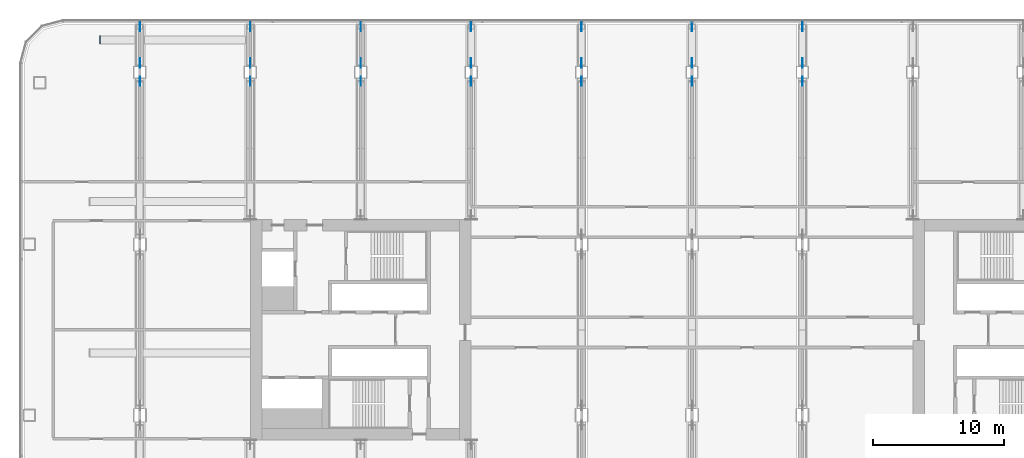
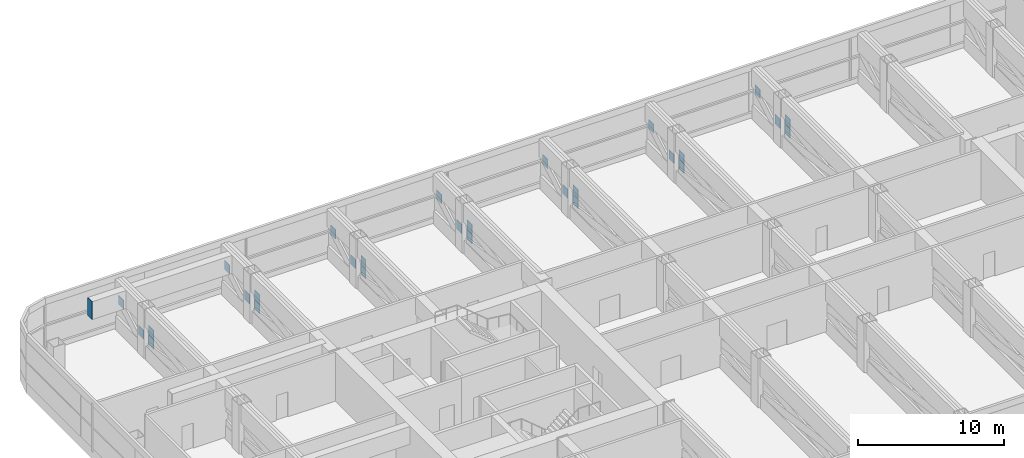
# One storey, part 23 of 30: 29 discrete accessories.
"""IFC4 building model written with IfcOpenShell, lengths in metres."""

from ifc_helpers import new_model, si_unit, direction, frame, origin, origin_2d, place, context, subcontext, project, spatial, rectangle, extrude, material, material_profile, profile_set, type_object, element, save


model = new_model("IFC4")

# Units and contexts
model_context = context("Model", 3, precision=1e-05, world=origin(), true_north=direction((0.0, 1.0)))
body_context = subcontext(model_context, "Body", "Model", "MODEL_VIEW")
ifc_project = project(units=[si_unit("LENGTHUNIT", "METRE"), si_unit("AREAUNIT", "SQUARE_METRE"), si_unit("VOLUMEUNIT", "CUBIC_METRE"), si_unit("PLANEANGLEUNIT", "RADIAN"), si_unit("MASSUNIT", "GRAM", prefix="KILO")], contexts=[model_context])

# Site, building, storey
site_placement = place(None, origin())
site = spatial("IfcSite", under=ifc_project, at=site_placement, CompositionType="ELEMENT")
building_placement = place(site_placement, origin())
building = spatial("IfcBuilding", under=site, at=building_placement, Name="Hakoniwa Tower and Hamabe Station Hall", CompositionType="ELEMENT")
storey_placement = place(building_placement, frame((0.0, 0.0, 64.60009765625)))
storey = spatial("IfcBuildingStorey", under=building, at=storey_placement, Name="L18", CompositionType="ELEMENT", Elevation=64.60009765625)

# Discrete accessories
ifc_material_1 = material(Name="Steel SN490C", Category="steel")
ifc_material_profile_1 = material_profile(ifc_material_1, rectangle(XDim=0.60009765625, YDim=1.5, at=origin_2d()), Name="END CAP PLATE BX-1500x600x55")
ifc_profile_set_1 = profile_set([ifc_material_profile_1], Name="Steel SN490C")
discrete_accessory_type_1 = type_object("IfcDiscreteAccessoryType", Name="END CAP PLATE BX-1500x600x55", PredefinedType="USERDEFINED", material=ifc_profile_set_1)
discrete_accessory_placement = place(storey_placement, frame((-45.048095703125, 22.052978515625, 3.349853515625), z_axis=(1.0, 0.0, 0.0), x_axis=(0.0, 1.0, 0.0)))
element("IfcDiscreteAccessory", 1, at=discrete_accessory_placement, inside=storey, type_object=discrete_accessory_type_1, Name="End cap plate L18-XG7", ObjectType="END CAP PLATE", PredefinedType="USERDEFINED", context=body_context, shape_type="SweptSolid", body=[
    extrude(rectangle(XDim=0.60009765625, YDim=1.5, at=origin_2d()), origin(), (0.0, 0.0, 1.0), 0.045166015625),
])
ifc_material_2 = material(Name="Steel SN490C", Category="steel")
ifc_material_profile_2 = material_profile(ifc_material_2, rectangle(XDim=0.699951171875, YDim=0.77001953125, at=origin_2d()), Name="GUSSET PLATE BX-700x500x32")
ifc_profile_set_2 = profile_set([ifc_material_profile_2], Name="Steel SN490C")
discrete_accessory_type_2 = type_object("IfcDiscreteAccessoryType", Name="GUSSET PLATE BX-700x500x32", PredefinedType="USERDEFINED", material=ifc_profile_set_2)
for number, where, z_axis, x_axis, name in (
    (2, (-41.985107421875, 18.89990234375, 2.21484375), (-1.0, 0.0, 0.0), (0.0, -1.0, 0.0), "Gusset plate T1-005-D03A"),
    (3, (-41.985107421875, 18.89990234375, 1.385009765625), (-1.0, 0.0, 0.0), (0.0, -1.0, 0.0), "Gusset plate T1-005-D03B"),
    (4, (-41.985107421875, 20.300048828125, 1.385009765625), (-1.0, 0.0, 0.0), (0.0, -1.0, 0.0), "Gusset plate T1-005-DHA"),
    (5, (-41.985107421875, 23.050048828125, 2.21484375), (-1.0, 0.0, 0.0), (0.0, -1.0, 0.0), "Gusset plate T1-005-DHA"),
):
    element("IfcDiscreteAccessory", number, at=place(storey_placement, frame(where, z_axis=z_axis, x_axis=x_axis)), inside=storey, type_object=discrete_accessory_type_2, Name=name, ObjectType="GUSSET PLATE", PredefinedType="USERDEFINED", context=body_context, shape_type="SweptSolid", body=[
        extrude(rectangle(XDim=0.699951171875, YDim=0.77001953125, at=origin_2d()), origin(), (0.0, 0.0, 1.0), 0.02978515625),
    ])
for number, where, z_axis, x_axis, name in (
    (6, (-33.5849609375, 18.89990234375, 2.21484375), (-1.0, 0.0, 0.0), (0.0, -1.0, 0.0), "Gusset plate T1-007-D01A"),
    (7, (-33.5849609375, 18.89990234375, 1.385009765625), (-1.0, 0.0, 0.0), (0.0, -1.0, 0.0), "Gusset plate T1-007-D01B"),
    (8, (-33.5849609375, 20.300048828125, 1.385009765625), (-1.0, 0.0, 0.0), (0.0, -1.0, 0.0), "Gusset plate T1-007-DHA"),
    (9, (-33.5849609375, 23.050048828125, 2.21484375), (-1.0, 0.0, 0.0), (0.0, -1.0, 0.0), "Gusset plate T1-007-DHA"),
    (10, (-25.18505859375, 18.89990234375, 2.21484375), (-1.0, 0.0, 0.0), (0.0, -1.0, 0.0), "Gusset plate T1-009-D01A"),
    (11, (-25.18505859375, 18.89990234375, 1.385009765625), (-1.0, 0.0, 0.0), (0.0, -1.0, 0.0), "Gusset plate T1-009-D01B"),
    (12, (-25.18505859375, 20.300048828125, 1.385009765625), (-1.0, 0.0, 0.0), (0.0, -1.0, 0.0), "Gusset plate T1-009-DHA"),
    (13, (-25.18505859375, 23.050048828125, 2.21484375), (-1.0, 0.0, 0.0), (0.0, -1.0, 0.0), "Gusset plate T1-009-DHA"),
    (14, (-16.784912109375, 18.89990234375, 2.21484375), (-1.0, 0.0, 0.0), (0.0, -1.0, 0.0), "Gusset plate T1-011-D01A"),
    (15, (-16.784912109375, 18.89990234375, 1.385009765625), (-1.0, 0.0, 0.0), (0.0, -1.0, 0.0), "Gusset plate T1-011-D01B"),
    (16, (-16.784912109375, 20.300048828125, 1.385009765625), (-1.0, 0.0, 0.0), (0.0, -1.0, 0.0), "Gusset plate T1-011-DHA"),
    (17, (-16.784912109375, 23.050048828125, 2.21484375), (-1.0, 0.0, 0.0), (0.0, -1.0, 0.0), "Gusset plate T1-011-DHA"),
    (18, (-8.385009765625, 18.89990234375, 2.21484375), (-1.0, 0.0, 0.0), (0.0, -1.0, 0.0), "Gusset plate T1-012-D03A"),
    (19, (-8.385009765625, 18.89990234375, 1.385009765625), (-1.0, 0.0, 0.0), (0.0, -1.0, 0.0), "Gusset plate T1-012-D03B"),
    (20, (-8.385009765625, 20.300048828125, 1.385009765625), (-1.0, 0.0, 0.0), (0.0, -1.0, 0.0), "Gusset plate T1-012-DHA"),
    (21, (-8.385009765625, 23.050048828125, 2.21484375), (-1.0, 0.0, 0.0), (0.0, -1.0, 0.0), "Gusset plate T1-012-DHA"),
):
    element("IfcDiscreteAccessory", number, at=place(storey_placement, frame(where, z_axis=z_axis, x_axis=x_axis)), inside=storey, type_object=discrete_accessory_type_2, Name=name, ObjectType="GUSSET PLATE", PredefinedType="USERDEFINED", context=body_context, shape_type="SweptSolid", body=[
        extrude(rectangle(XDim=0.699951171875, YDim=0.77001953125, at=origin_2d()), origin(), (0.0, 0.0, 1.0), 0.030029296875),
    ])
for number, where, z_axis, x_axis, name in (
    (22, (0.014892578125, 18.89990234375, 2.21484375), (-1.0, 0.0, 0.0), (0.0, -1.0, 0.0), "Gusset plate T1-013-D03A"),
    (23, (0.014892578125, 18.89990234375, 1.385009765625), (-1.0, 0.0, 0.0), (0.0, -1.0, 0.0), "Gusset plate T1-013-D03B"),
    (24, (0.014892578125, 20.300048828125, 1.385009765625), (-1.0, 0.0, 0.0), (0.0, -1.0, 0.0), "Gusset plate T1-013-DHA"),
    (25, (0.014892578125, 23.050048828125, 2.21484375), (-1.0, 0.0, 0.0), (0.0, -1.0, 0.0), "Gusset plate T1-013-DHA"),
):
    element("IfcDiscreteAccessory", number, at=place(storey_placement, frame(where, z_axis=z_axis, x_axis=x_axis)), inside=storey, type_object=discrete_accessory_type_2, Name=name, ObjectType="GUSSET PLATE", PredefinedType="USERDEFINED", context=body_context, shape_type="SweptSolid", body=[
        extrude(rectangle(XDim=0.699951171875, YDim=0.77001953125, at=origin_2d()), origin(), (0.0, 0.0, 1.0), 0.02978515625),
    ])
for number, where, z_axis, x_axis, name in (
    (26, (8.4150390625, 18.89990234375, 2.21484375), (-1.0, 0.0, 0.0), (0.0, -1.0, 0.0), "Gusset plate T1-014-D03A"),
    (27, (8.4150390625, 18.89990234375, 1.385009765625), (-1.0, 0.0, 0.0), (0.0, -1.0, 0.0), "Gusset plate T1-014-D03B"),
    (28, (8.4150390625, 20.300048828125, 1.385009765625), (-1.0, 0.0, 0.0), (0.0, -1.0, 0.0), "Gusset plate T1-014-DHA"),
    (29, (8.4150390625, 23.050048828125, 2.21484375), (-1.0, 0.0, 0.0), (0.0, -1.0, 0.0), "Gusset plate T1-014-DHA"),
):
    element("IfcDiscreteAccessory", number, at=place(storey_placement, frame(where, z_axis=z_axis, x_axis=x_axis)), inside=storey, type_object=discrete_accessory_type_2, Name=name, ObjectType="GUSSET PLATE", PredefinedType="USERDEFINED", context=body_context, shape_type="SweptSolid", body=[
        extrude(rectangle(XDim=0.699951171875, YDim=0.77001953125, at=origin_2d()), origin(), (0.0, 0.0, 1.0), 0.030029296875),
    ])

save(model, "model.ifc")
